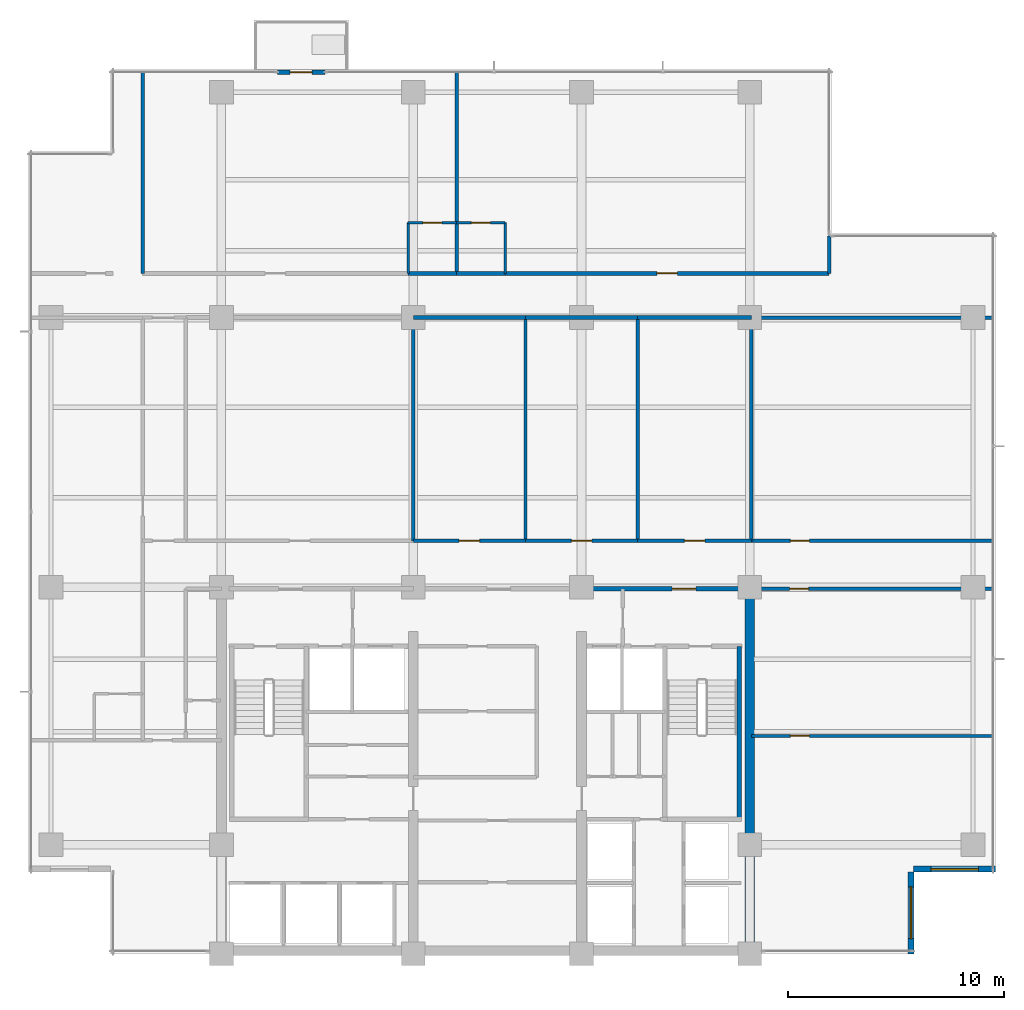
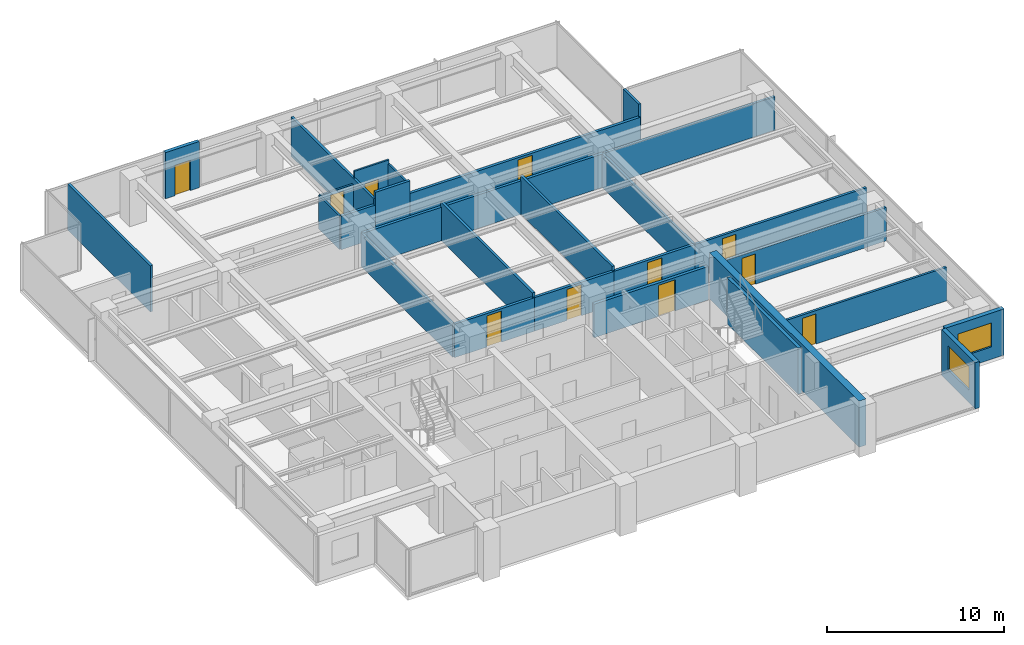
# One storey, part 9 of 14: 30 walls, 11 doors, 2 windows, 13 openings.
"""IFC4 building model written with IfcOpenShell, lengths in metres."""

from ifc_helpers import new_model, si_unit, direction, frame, frame_2d, origin, place, context, subcontext, project, spatial, rectangle, extrude, material, layer, layer_set, type_object, element, fill, save


model = new_model("IFC4")

# Units and contexts
model_context = context("Model", 3, precision=1e-05, world=origin(), true_north=direction((0.0, 1.0)))
body_context = subcontext(model_context, "Body", "Model", "MODEL_VIEW")
ifc_project = project(units=[si_unit("LENGTHUNIT", "METRE"), si_unit("AREAUNIT", "SQUARE_METRE"), si_unit("VOLUMEUNIT", "CUBIC_METRE"), si_unit("PLANEANGLEUNIT", "RADIAN"), si_unit("MASSUNIT", "GRAM", prefix="KILO")], contexts=[model_context])

# Site, building, storey
site_placement = place(None, origin())
site = spatial("IfcSite", under=ifc_project, at=site_placement, CompositionType="ELEMENT")
building_placement = place(site_placement, origin())
building = spatial("IfcBuilding", under=site, at=building_placement, Name="Qalmaran Belvedere Hotel", CompositionType="ELEMENT")
storey_placement = place(building_placement, frame((0.0, 0.0, 180.60009765625)))
storey = spatial("IfcBuildingStorey", under=building, at=storey_placement, Name="L46", CompositionType="ELEMENT", Elevation=180.60009765625)

# Wall, opening, door
ifc_material_1 = material(Name="Anodised Bronze Cladding")
ifc_layer_1 = layer(ifc_material_1, 0.22509765625, Name="Anodised Bronze Cladding")
ifc_layer_set_1 = layer_set([ifc_layer_1], Name="Anodised Bronze Cladding")
wall_type_1 = type_object("IfcWallType", Name="WL-BAL-PORT-225", PredefinedType="SOLIDWALL", material=ifc_layer_set_1)
wall_1_placement = place(storey_placement, frame((22.89990234375, 44.3798828125, 0.0), z_axis=(0.0, 0.0, 1.0), x_axis=(1.0, 0.0, 0.0)))
wall_1 = element("IfcWall", 1, at=wall_1_placement, inside=storey, type_object=wall_type_1, Name="L46 Tree Balcony Door Portal", PredefinedType="SOLIDWALL", context=body_context, shape_type="SweptSolid", body=[
    extrude(rectangle(XDim=2.2001953125, YDim=0.22509765625, at=frame_2d((1.10009765625, 0.0))), origin(), (0.0, 0.0, 1.0), 3.179931640625),
])
opening_1_placement = place(wall_1_placement, frame((0.590087890625, 0.0, 0.0)))
opening_1 = element("IfcOpeningElement", 2, at=opening_1_placement, cuts=wall_1, Name="Opening BL-102", PredefinedType="OPENING", context=body_context, shape_type="SweptSolid", body=[
    extrude(rectangle(XDim=1.02001953125, YDim=2.10009765625, at=frame_2d((0.510009765625, 1.050048828125))), frame((0.0, 0.12255859375, 0.0), z_axis=(0.0, -1.0, 0.0), x_axis=(1.0, 0.0, 0.0)), (0.0, 0.0, 1.0), 0.2451171875),
])
ifc_material_2 = material(Name="Anodised Bronze Aluminium", Category="aluminium")
door_type_1 = type_object("IfcDoorType", Name="DR-BAL-1020X2100", OperationType="NOTDEFINED", PredefinedType="DOOR", material=ifc_material_2)
door_1_placement = place(opening_1_placement, origin())
door_1 = element("IfcDoor", 3, at=door_1_placement, inside=storey, type_object=door_type_1, Name="L46 Planted Tree Balcony Door", OperationType="SINGLE_SWING_LEFT", OverallHeight=2.10009765625, OverallWidth=1.02001953125, PredefinedType="DOOR", context=body_context, shape_type="SweptSolid", body=[
    extrude(rectangle(XDim=1.02001953125, YDim=2.10009765625, at=frame_2d((0.510009765625, 1.050048828125))), frame((0.0, 0.02490234375, 0.0), z_axis=(0.0, -1.0, 0.0), x_axis=(1.0, 0.0, 0.0)), (0.0, 0.0, 1.0), 0.050048828125),
])
fill(opening_1, door_1)

# Wall
ifc_material_3 = material(Name="Concrete C50/60", Category="concrete")
ifc_layer_2 = layer(ifc_material_3, 0.449951171875, Name="Concrete C50/60")
ifc_layer_set_2 = layer_set([ifc_layer_2], Name="Concrete C50/60")
wall_type_2 = type_object("IfcWallType", Name="WL-CORE-450-C50", PredefinedType="SHEAR", material=ifc_layer_set_2)
wall_2_placement = place(storey_placement, frame((44.800048828125, 3.5, 0.0), z_axis=(0.0, 0.0, 1.0), x_axis=(0.0, 1.0, 0.0)))
element("IfcWall", 4, at=wall_2_placement, inside=storey, type_object=wall_type_2, Name="L46 East Core Shear Wall", PredefinedType="SHEAR", context=body_context, shape_type="SweptSolid", body=[
    extrude(rectangle(XDim=16.89990234375, YDim=0.449951171875, at=frame_2d((8.449951171875, 0.0))), origin(), (0.0, 0.0, 1.0), 3.179931640625),
])

# Wall, opening, window
ifc_layer_3 = layer(ifc_material_1, 0.280029296875, Name="Anodised Bronze Cladding")
ifc_layer_set_3 = layer_set([ifc_layer_3], Name="Anodised Bronze Cladding")
wall_type_3 = type_object("IfcWallType", Name="WL-EXT-BRNZ-280", PredefinedType="SOLIDWALL", material=ifc_layer_set_3)
wall_3_placement = place(storey_placement, frame((52.280029296875, 3.5, 0.0), z_axis=(0.0, 0.0, 1.0), x_axis=(0.0, 1.0, 0.0)))
wall_3 = element("IfcWall", 5, at=wall_3_placement, inside=storey, type_object=wall_type_3, Name="L46 Corner Notch Wall 1", PredefinedType="SOLIDWALL", context=body_context, shape_type="SweptSolid", body=[
    extrude(rectangle(XDim=3.800048828125, YDim=0.280029296875, at=frame_2d((1.89990234375, 0.0))), origin(), (0.0, 0.0, 1.0), 3.179931640625),
])
opening_2_placement = place(wall_3_placement, frame((0.699951171875, 0.0, 0.85009765625)))
opening_2 = element("IfcOpeningElement", 6, at=opening_2_placement, cuts=wall_3, Name="Opening W-N24", PredefinedType="OPENING", context=body_context, shape_type="SweptSolid", body=[
    extrude(rectangle(XDim=2.39990234375, YDim=1.64990234375, at=frame_2d((1.199951171875, 0.824951171875))), frame((0.0, 0.14990234375, 0.0), z_axis=(0.0, -1.0, 0.0), x_axis=(1.0, 0.0, 0.0)), (0.0, 0.0, 1.0), 0.300048828125),
])
ifc_material_4 = material(Name="Solar-Control Double Glazing", Category="glass")
window_type_1 = type_object("IfcWindowType", Name="WN-NTC-2400X1650", PartitioningType="SINGLE_PANEL", PredefinedType="WINDOW", material=ifc_material_4)
window_1_placement = place(opening_2_placement, origin())
window_1 = element("IfcWindow", 7, at=window_1_placement, inside=storey, type_object=window_type_1, Name="L46 Corner Notch Window 1", OverallHeight=1.64990234375, OverallWidth=2.39990234375, PartitioningType="SINGLE_PANEL", PredefinedType="WINDOW", context=body_context, shape_type="SweptSolid", body=[
    extrude(rectangle(XDim=2.39990234375, YDim=1.64990234375, at=frame_2d((1.199951171875, 0.824951171875))), frame((0.0, 0.030029296875, 0.0), z_axis=(0.0, -1.0, 0.0), x_axis=(1.0, 0.0, 0.0)), (0.0, 0.0, 1.0), 0.06005859375),
])
fill(opening_2, window_1)

wall_4_placement = place(storey_placement, frame((52.39990234375, 7.419921875, 0.0), z_axis=(0.0, 0.0, 1.0), x_axis=(1.0, 0.0, 0.0)))
wall_4 = element("IfcWall", 8, at=wall_4_placement, inside=storey, type_object=wall_type_3, Name="L46 Corner Notch Wall 2", PredefinedType="SOLIDWALL", context=body_context, shape_type="SweptSolid", body=[
    extrude(rectangle(XDim=3.800048828125, YDim=0.280029296875, at=frame_2d((1.89990234375, 0.0))), origin(), (0.0, 0.0, 1.0), 3.179931640625),
])
opening_3_placement = place(wall_4_placement, frame((0.800048828125, 0.0, 0.85009765625)))
opening_3 = element("IfcOpeningElement", 9, at=opening_3_placement, cuts=wall_4, Name="Opening W-N22", PredefinedType="OPENING", context=body_context, shape_type="SweptSolid", body=[
    extrude(rectangle(XDim=2.199951171875, YDim=1.64990234375, at=frame_2d((1.10009765625, 0.824951171875))), frame((0.0, 0.14990234375, 0.0), z_axis=(0.0, -1.0, 0.0), x_axis=(1.0, 0.0, 0.0)), (0.0, 0.0, 1.0), 0.300048828125),
])
window_type_2 = type_object("IfcWindowType", Name="WN-NTC-2200X1650", PartitioningType="SINGLE_PANEL", PredefinedType="WINDOW", material=ifc_material_4)
window_2_placement = place(opening_3_placement, origin())
window_2 = element("IfcWindow", 10, at=window_2_placement, inside=storey, type_object=window_type_2, Name="L46 Corner Notch Window 2", OverallHeight=1.64990234375, OverallWidth=2.199951171875, PartitioningType="SINGLE_PANEL", PredefinedType="WINDOW", context=body_context, shape_type="SweptSolid", body=[
    extrude(rectangle(XDim=2.199951171875, YDim=1.64990234375, at=frame_2d((1.10009765625, 0.824951171875))), frame((0.0, 0.030029296875, 0.0), z_axis=(0.0, -1.0, 0.0), x_axis=(1.0, 0.0, 0.0)), (0.0, 0.0, 1.0), 0.06005859375),
])
fill(opening_3, window_2)

# Wall, opening, door
ifc_material_5 = material(Name="Moisture-Resistant Gypsum")
ifc_layer_4 = layer(ifc_material_5, 0.1201171875, Name="Moisture-Resistant Gypsum")
ifc_layer_set_4 = layer_set([ifc_layer_4], Name="Moisture-Resistant Gypsum")
wall_type_4 = type_object("IfcWallType", Name="WL-INT-120-BATH", PredefinedType="PARTITIONING", material=ifc_layer_set_4)
wall_5_placement = place(storey_placement, frame((28.960693359375, 37.39990234375, 0.0), z_axis=(0.0, 0.0, 1.0), x_axis=(1.0, 0.0, 0.0)))
wall_5 = element("IfcWall", 11, at=wall_5_placement, inside=storey, type_object=wall_type_4, Name="L46 Partition WL-L46-NBN00", PredefinedType="PARTITIONING", context=body_context, shape_type="SweptSolid", body=[
    extrude(rectangle(XDim=2.25, YDim=0.1201171875, at=frame_2d((1.125, 0.0))), origin(), (0.0, 0.0, 1.0), 2.309814453125),
])
opening_4_placement = place(wall_5_placement, frame((1.56494140625, 0.0, 0.0), z_axis=(0.0, 0.0, 1.0), x_axis=(-1.0, 0.0, 0.0)))
opening_4 = element("IfcOpeningElement", 12, at=opening_4_placement, cuts=wall_5, Name="Opening D-BATH", PredefinedType="OPENING", context=body_context, shape_type="SweptSolid", body=[
    extrude(rectangle(XDim=0.8798828125, YDim=2.080078125, at=frame_2d((0.43994140625, 1.0400390625))), frame((0.0, 0.070068359375, 0.0), z_axis=(0.0, -1.0, 0.0), x_axis=(1.0, 0.0, 0.0)), (0.0, 0.0, 1.0), 0.14013671875),
])
ifc_material_6 = material(Name="Engineered Oak Veneer")
door_type_2 = type_object("IfcDoorType", Name="DR-INT-BATH-880X2080", OperationType="NOTDEFINED", PredefinedType="DOOR", material=ifc_material_6)
door_2_placement = place(opening_4_placement, origin())
door_2 = element("IfcDoor", 13, at=door_2_placement, inside=storey, type_object=door_type_2, Name="L46 Ensuite Bathroom Door N01", OperationType="SINGLE_SWING_RIGHT", OverallHeight=2.080078125, OverallWidth=0.8798828125, PredefinedType="DOOR", context=body_context, shape_type="SweptSolid", body=[
    extrude(rectangle(XDim=0.8798828125, YDim=2.080078125, at=frame_2d((0.43994140625, 1.0400390625))), frame((0.0, 0.02490234375, 0.0), z_axis=(0.0, -1.0, 0.0), x_axis=(1.0, 0.0, 0.0)), (0.0, 0.0, 1.0), 0.050048828125),
])
fill(opening_4, door_2)

# Wall
wall_6_placement = place(storey_placement, frame((28.960693359375, 35.050048828125, 0.0), z_axis=(0.0, 0.0, 1.0), x_axis=(0.0, 1.0, 0.0)))
element("IfcWall", 14, at=wall_6_placement, inside=storey, type_object=wall_type_4, Name="L46 Partition WL-L46-NBS00", PredefinedType="PARTITIONING", context=body_context, shape_type="SweptSolid", body=[
    extrude(rectangle(XDim=2.349853515625, YDim=0.1201171875, at=frame_2d((1.1748046875, 0.0))), origin(), (0.0, 0.0, 1.0), 2.309814453125),
])

# Wall, opening, door
wall_7_placement = place(storey_placement, frame((31.210693359375, 37.39990234375, 0.0), z_axis=(0.0, 0.0, 1.0), x_axis=(1.0, 0.0, 0.0)))
wall_7 = element("IfcWall", 15, at=wall_7_placement, inside=storey, type_object=wall_type_4, Name="L46 Partition WL-L46-NBN01", PredefinedType="PARTITIONING", context=body_context, shape_type="SweptSolid", body=[
    extrude(rectangle(XDim=2.25, YDim=0.1201171875, at=frame_2d((1.125, 0.0))), origin(), (0.0, 0.0, 1.0), 3.179931640625),
])
opening_5_placement = place(wall_7_placement, frame((1.56494140625, 0.0, 0.0), z_axis=(0.0, 0.0, 1.0), x_axis=(-1.0, 0.0, 0.0)))
opening_5 = element("IfcOpeningElement", 16, at=opening_5_placement, cuts=wall_7, Name="Opening D-BATH", PredefinedType="OPENING", context=body_context, shape_type="SweptSolid", body=[
    extrude(rectangle(XDim=0.8798828125, YDim=2.080078125, at=frame_2d((0.43994140625, 1.0400390625))), frame((0.0, 0.070068359375, 0.0), z_axis=(0.0, -1.0, 0.0), x_axis=(1.0, 0.0, 0.0)), (0.0, 0.0, 1.0), 0.14013671875),
])
door_3_placement = place(opening_5_placement, origin())
door_3 = element("IfcDoor", 17, at=door_3_placement, inside=storey, type_object=door_type_2, Name="L46 Ensuite Bathroom Door N02", OperationType="SINGLE_SWING_RIGHT", OverallHeight=2.080078125, OverallWidth=0.8798828125, PredefinedType="DOOR", context=body_context, shape_type="SweptSolid", body=[
    extrude(rectangle(XDim=0.8798828125, YDim=2.080078125, at=frame_2d((0.43994140625, 1.0400390625))), frame((0.0, 0.02490234375, 0.0), z_axis=(0.0, -1.0, 0.0), x_axis=(1.0, 0.0, 0.0)), (0.0, 0.0, 1.0), 0.050048828125),
])
fill(opening_5, door_3)

# Wall
wall_8_placement = place(storey_placement, frame((33.460693359375, 35.050048828125, 0.0), z_axis=(0.0, 0.0, 1.0), x_axis=(0.0, 1.0, 0.0)))
element("IfcWall", 18, at=wall_8_placement, inside=storey, type_object=wall_type_4, Name="L46 Partition WL-L46-NBS01", PredefinedType="PARTITIONING", context=body_context, shape_type="SweptSolid", body=[
    extrude(rectangle(XDim=2.349853515625, YDim=0.1201171875, at=frame_2d((1.1748046875, 0.0))), origin(), (0.0, 0.0, 1.0), 2.91796875),
])

# Wall, opening, door
ifc_material_7 = material(Name="Gypsum Stud Partition")
ifc_layer_5 = layer(ifc_material_7, 0.14990234375, Name="Gypsum Stud Partition")
ifc_layer_set_5 = layer_set([ifc_layer_5], Name="Gypsum Stud Partition")
wall_type_5 = type_object("IfcWallType", Name="WL-INT-150-EI60", PredefinedType="PARTITIONING", material=ifc_layer_set_5)
wall_9_placement = place(storey_placement, frame((44.8798828125, 13.60009765625, 0.0), z_axis=(0.0, 0.0, 1.0), x_axis=(1.0, 0.0, 0.0)))
wall_9 = element("IfcWall", 19, at=wall_9_placement, inside=storey, type_object=wall_type_5, Name="L46 Partition WL-L46-ECEH0", PredefinedType="PARTITIONING", context=body_context, shape_type="SweptSolid", body=[
    extrude(rectangle(XDim=11.2001953125, YDim=0.14990234375, at=frame_2d((5.60009765625, 0.0))), origin(), (0.0, 0.0, 1.0), 2.309814453125),
])
opening_6_placement = place(wall_9_placement, frame((2.679931640625, 0.0, 0.0), z_axis=(0.0, 0.0, 1.0), x_axis=(-1.0, 0.0, 0.0)))
opening_6 = element("IfcOpeningElement", 20, at=opening_6_placement, cuts=wall_9, Name="Opening FD60B", PredefinedType="OPENING", context=body_context, shape_type="SweptSolid", body=[
    extrude(rectangle(XDim=0.8798828125, YDim=2.080078125, at=frame_2d((0.43994140625, 1.0400390625))), frame((0.0, 0.0849609375, 0.0), z_axis=(0.0, -1.0, 0.0), x_axis=(1.0, 0.0, 0.0)), (0.0, 0.0, 1.0), 0.169921875),
])
ifc_material_8 = material(Name="Steel S355JR", Category="steel")
door_type_3 = type_object("IfcDoorType", Name="DR-FD60B-880X2080", OperationType="NOTDEFINED", PredefinedType="DOOR", material=ifc_material_8)
door_4_placement = place(opening_6_placement, origin())
door_4 = element("IfcDoor", 21, at=door_4_placement, inside=storey, type_object=door_type_3, Name="L46 East Study Inner Door", OperationType="SINGLE_SWING_LEFT", OverallHeight=2.080078125, OverallWidth=0.8798828125, PredefinedType="DOOR", context=body_context, shape_type="SweptSolid", body=[
    extrude(rectangle(XDim=0.8798828125, YDim=2.080078125, at=frame_2d((0.43994140625, 1.0400390625))), frame((0.0, 0.02490234375, 0.0), z_axis=(0.0, -1.0, 0.0), x_axis=(1.0, 0.0, 0.0)), (0.0, 0.0, 1.0), 0.050048828125),
])
fill(opening_6, door_4)

ifc_layer_6 = layer(ifc_material_7, 0.159912109375, Name="Gypsum Stud Partition")
ifc_layer_set_6 = layer_set([ifc_layer_6], Name="Gypsum Stud Partition")
wall_type_6 = type_object("IfcWallType", Name="WL-INT-160-EI60", PredefinedType="PARTITIONING", material=ifc_layer_set_6)
wall_10_placement = place(storey_placement, frame((44.800048828125, 20.419921875, 0.0), z_axis=(0.0, 0.0, 1.0), x_axis=(1.0, 0.0, 0.0)))
wall_10 = element("IfcWall", 22, at=wall_10_placement, inside=storey, type_object=wall_type_6, Name="L46 Partition WL-L46-ECE1S", PredefinedType="PARTITIONING", context=body_context, shape_type="SweptSolid", body=[
    extrude(rectangle(XDim=11.280029296875, YDim=0.159912109375, at=frame_2d((5.64013671875, 0.0))), origin(), (0.0, 0.0, 1.0), 2.309814453125),
])
opening_7_placement = place(wall_10_placement, frame((2.72998046875, 0.0, 0.0), z_axis=(0.0, 0.0, 1.0), x_axis=(-1.0, 0.0, 0.0)))
opening_7 = element("IfcOpeningElement", 23, at=opening_7_placement, cuts=wall_10, Name="Opening FD60B", PredefinedType="OPENING", context=body_context, shape_type="SweptSolid", body=[
    extrude(rectangle(XDim=0.8798828125, YDim=2.080078125, at=frame_2d((0.43994140625, 1.0400390625))), frame((0.0, 0.08984375, 0.0), z_axis=(0.0, -1.0, 0.0), x_axis=(1.0, 0.0, 0.0)), (0.0, 0.0, 1.0), 0.179931640625),
])
door_5_placement = place(opening_7_placement, origin())
door_5 = element("IfcDoor", 24, at=door_5_placement, inside=storey, type_object=door_type_3, Name="L46 East Library Door", OperationType="SINGLE_SWING_RIGHT", OverallHeight=2.080078125, OverallWidth=0.8798828125, PredefinedType="DOOR", context=body_context, shape_type="SweptSolid", body=[
    extrude(rectangle(XDim=0.8798828125, YDim=2.080078125, at=frame_2d((0.43994140625, 1.0400390625))), frame((0.0, 0.02490234375, 0.0), z_axis=(0.0, -1.0, 0.0), x_axis=(1.0, 0.0, 0.0)), (0.0, 0.0, 1.0), 0.050048828125),
])
fill(opening_7, door_5)

wall_11_placement = place(storey_placement, frame((44.8798828125, 22.64990234375, 0.0), z_axis=(0.0, 0.0, 1.0), x_axis=(1.0, 0.0, 0.0)))
wall_11 = element("IfcWall", 25, at=wall_11_placement, inside=storey, type_object=wall_type_6, Name="L46 Partition WL-L46-ECE2N", PredefinedType="PARTITIONING", context=body_context, shape_type="SweptSolid", body=[
    extrude(rectangle(XDim=11.2001953125, YDim=0.159912109375, at=frame_2d((5.60009765625, 0.0))), origin(), (0.0, 0.0, 1.0), 2.309814453125),
])
opening_8_placement = place(wall_11_placement, frame((1.800048828125, 0.0, 0.0)))
opening_8 = element("IfcOpeningElement", 26, at=opening_8_placement, cuts=wall_11, Name="Opening FD60B", PredefinedType="OPENING", context=body_context, shape_type="SweptSolid", body=[
    extrude(rectangle(XDim=0.8798828125, YDim=2.080078125, at=frame_2d((0.43994140625, 1.0400390625))), frame((0.0, 0.08984375, 0.0), z_axis=(0.0, -1.0, 0.0), x_axis=(1.0, 0.0, 0.0)), (0.0, 0.0, 1.0), 0.179931640625),
])
door_6_placement = place(opening_8_placement, origin())
door_6 = element("IfcDoor", 27, at=door_6_placement, inside=storey, type_object=door_type_3, Name="L46 East Fitness Door", OperationType="SINGLE_SWING_LEFT", OverallHeight=2.080078125, OverallWidth=0.8798828125, PredefinedType="DOOR", context=body_context, shape_type="SweptSolid", body=[
    extrude(rectangle(XDim=0.8798828125, YDim=2.080078125, at=frame_2d((0.43994140625, 1.0400390625))), frame((0.0, 0.02490234375, 0.0), z_axis=(0.0, -1.0, 0.0), x_axis=(1.0, 0.0, 0.0)), (0.0, 0.0, 1.0), 0.050048828125),
])
fill(opening_8, door_6)

# Walls
wall_12_placement = place(storey_placement, frame((44.8798828125, 33.0, 0.0), z_axis=(0.0, 0.0, 1.0), x_axis=(1.0, 0.0, 0.0)))
element("IfcWall", 28, at=wall_12_placement, inside=storey, type_object=wall_type_6, Name="L46 Partition WL-L46-ECEN", PredefinedType="PARTITIONING", context=body_context, shape_type="SweptSolid", body=[
    extrude(rectangle(XDim=11.2001953125, YDim=0.159912109375, at=frame_2d((5.60009765625, 0.0))), origin(), (0.0, 0.0, 1.0), 2.309814453125),
])
wall_13_placement = place(storey_placement, frame((29.199951171875, 22.64990234375, 0.0), z_axis=(0.0, 0.0, 1.0), x_axis=(0.0, 1.0, 0.0)))
element("IfcWall", 29, at=wall_13_placement, inside=storey, type_object=wall_type_6, Name="L46 Partition WL-L46-MIDVR1", PredefinedType="PARTITIONING", context=body_context, shape_type="SweptSolid", body=[
    extrude(rectangle(XDim=10.35009765625, YDim=0.159912109375, at=frame_2d((5.175048828125, 0.0))), origin(), (0.0, 0.0, 1.0), 2.309814453125),
])
for number, where, z_axis, x_axis, name in (
    (30, (34.39990234375, 22.64990234375, 0.0), (0.0, 0.0, 1.0), (0.0, 1.0, 0.0), "L46 Partition WL-L46-MIDVR2"),
    (31, (39.60009765625, 22.64990234375, 0.0), (0.0, 0.0, 1.0), (0.0, 1.0, 0.0), "L46 Partition WL-L46-MIDVR3"),
):
    element("IfcWall", number, at=place(storey_placement, frame(where, z_axis=z_axis, x_axis=x_axis)), inside=storey, type_object=wall_type_6, Name=name, PredefinedType="PARTITIONING", context=body_context, shape_type="SweptSolid", body=[
        extrude(rectangle(XDim=10.35009765625, YDim=0.159912109375, at=frame_2d((5.175048828125, 0.0))), origin(), (0.0, 0.0, 1.0), 2.621826171875),
    ])
wall_14_placement = place(storey_placement, frame((44.8798828125, 22.64990234375, 0.0), z_axis=(0.0, 0.0, 1.0), x_axis=(0.0, 1.0, 0.0)))
element("IfcWall", 32, at=wall_14_placement, inside=storey, type_object=wall_type_6, Name="L46 Partition WL-L46-MIDVR4", PredefinedType="PARTITIONING", context=body_context, shape_type="SweptSolid", body=[
    extrude(rectangle(XDim=10.35009765625, YDim=0.159912109375, at=frame_2d((5.175048828125, 0.0))), origin(), (0.0, 0.0, 1.0), 2.309814453125),
])
wall_15_placement = place(storey_placement, frame((16.64990234375, 35.050048828125, 0.0), z_axis=(0.0, 0.0, 1.0), x_axis=(0.0, 1.0, 0.0)))
element("IfcWall", 33, at=wall_15_placement, inside=storey, type_object=wall_type_6, Name="L46 Partition WL-L46-NUL", PredefinedType="PARTITIONING", context=body_context, shape_type="SweptSolid", body=[
    extrude(rectangle(XDim=9.329833984375, YDim=0.159912109375, at=frame_2d((4.6650390625, 0.0))), origin(), (0.0, 0.0, 1.0), 3.179931640625),
])
wall_16_placement = place(storey_placement, frame((31.210693359375, 35.050048828125, 0.0), z_axis=(0.0, 0.0, 1.0), x_axis=(0.0, 1.0, 0.0)))
element("IfcWall", 34, at=wall_16_placement, inside=storey, type_object=wall_type_6, Name="L46 Partition WL-L46-NUR00", PredefinedType="PARTITIONING", context=body_context, shape_type="SweptSolid", body=[
    extrude(rectangle(XDim=9.329833984375, YDim=0.159912109375, at=frame_2d((4.6650390625, 0.0))), origin(), (0.0, 0.0, 1.0), 2.701904296875),
])
wall_17_placement = place(storey_placement, frame((48.47998046875, 35.050048828125, 0.0), z_axis=(0.0, 0.0, 1.0), x_axis=(0.0, 1.0, 0.0)))
element("IfcWall", 35, at=wall_17_placement, inside=storey, type_object=wall_type_6, Name="L46 Partition WL-L46-NUR01", PredefinedType="PARTITIONING", context=body_context, shape_type="SweptSolid", body=[
    extrude(rectangle(XDim=1.72998046875, YDim=0.159912109375, at=frame_2d((0.864990234375, 0.0))), origin(), (0.0, 0.0, 1.0), 3.179931640625),
])

# Wall, opening, door
ifc_layer_7 = layer(ifc_material_7, 0.179931640625, Name="Gypsum Stud Partition")
ifc_layer_set_7 = layer_set([ifc_layer_7], Name="Gypsum Stud Partition")
wall_type_7 = type_object("IfcWallType", Name="WL-INT-180-EI60", PredefinedType="PARTITIONING", material=ifc_layer_set_7)
wall_18_placement = place(storey_placement, frame((29.199951171875, 22.64990234375, 0.0), z_axis=(0.0, 0.0, 1.0), x_axis=(1.0, 0.0, 0.0)))
wall_18 = element("IfcWall", 36, at=wall_18_placement, inside=storey, type_object=wall_type_7, Name="L46 Partition WL-L46-MIDD2", PredefinedType="PARTITIONING", context=body_context, shape_type="SweptSolid", body=[
    extrude(rectangle(XDim=5.199951171875, YDim=0.179931640625, at=frame_2d((2.60009765625, 0.0))), origin(), (0.0, 0.0, 1.0), 2.309814453125),
])
opening_9_placement = place(wall_18_placement, frame((2.125, 0.0, 0.0)))
opening_9 = element("IfcOpeningElement", 37, at=opening_9_placement, cuts=wall_18, Name="Opening FD60", PredefinedType="OPENING", context=body_context, shape_type="SweptSolid", body=[
    extrude(rectangle(XDim=0.949951171875, YDim=2.14990234375, at=frame_2d((0.47509765625, 1.074951171875))), frame((0.0, 0.10009765625, 0.0), z_axis=(0.0, -1.0, 0.0), x_axis=(1.0, 0.0, 0.0)), (0.0, 0.0, 1.0), 0.199951171875),
])
door_type_4 = type_object("IfcDoorType", Name="DR-FD60-950X2150", OperationType="NOTDEFINED", PredefinedType="DOOR", material=ifc_material_6)
door_7_placement = place(opening_9_placement, origin())
door_7 = element("IfcDoor", 38, at=door_7_placement, inside=storey, type_object=door_type_4, Name="L46 Wellness Spa Door", OperationType="SINGLE_SWING_LEFT", OverallHeight=2.14990234375, OverallWidth=0.949951171875, PredefinedType="DOOR", context=body_context, shape_type="SweptSolid", body=[
    extrude(rectangle(XDim=0.949951171875, YDim=2.14990234375, at=frame_2d((0.47509765625, 1.074951171875))), frame((0.0, 0.02490234375, 0.0), z_axis=(0.0, -1.0, 0.0), x_axis=(1.0, 0.0, 0.0)), (0.0, 0.0, 1.0), 0.050048828125),
])
fill(opening_9, door_7)

# Wall
wall_19_placement = place(storey_placement, frame((29.199951171875, 33.0, 0.0), z_axis=(0.0, 0.0, 1.0), x_axis=(1.0, 0.0, 0.0)))
element("IfcWall", 39, at=wall_19_placement, inside=storey, type_object=wall_type_7, Name="L46 Partition WL-L46-MIDO2", PredefinedType="PARTITIONING", context=body_context, shape_type="SweptSolid", body=[
    extrude(rectangle(XDim=5.199951171875, YDim=0.179931640625, at=frame_2d((2.60009765625, 0.0))), origin(), (0.0, 0.0, 1.0), 2.309814453125),
])

# Wall, opening, door
wall_20_placement = place(storey_placement, frame((34.39990234375, 22.64990234375, 0.0), z_axis=(0.0, 0.0, 1.0), x_axis=(1.0, 0.0, 0.0)))
wall_20 = element("IfcWall", 40, at=wall_20_placement, inside=storey, type_object=wall_type_7, Name="L46 Partition WL-L46-MIDD3", PredefinedType="PARTITIONING", context=body_context, shape_type="SweptSolid", body=[
    extrude(rectangle(XDim=5.2001953125, YDim=0.179931640625, at=frame_2d((2.60009765625, 0.0))), origin(), (0.0, 0.0, 1.0), 2.309814453125),
])
opening_10_placement = place(wall_20_placement, frame((2.125, 0.0, 0.0)))
opening_10 = element("IfcOpeningElement", 41, at=opening_10_placement, cuts=wall_20, Name="Opening FD60", PredefinedType="OPENING", context=body_context, shape_type="SweptSolid", body=[
    extrude(rectangle(XDim=0.949951171875, YDim=2.14990234375, at=frame_2d((0.47509765625, 1.074951171875))), frame((0.0, 0.10009765625, 0.0), z_axis=(0.0, -1.0, 0.0), x_axis=(1.0, 0.0, 0.0)), (0.0, 0.0, 1.0), 0.199951171875),
])
door_8_placement = place(opening_10_placement, origin())
door_8 = element("IfcDoor", 42, at=door_8_placement, inside=storey, type_object=door_type_4, Name="L46 Fitness Studio Door", OperationType="SINGLE_SWING_RIGHT", OverallHeight=2.14990234375, OverallWidth=0.949951171875, PredefinedType="DOOR", context=body_context, shape_type="SweptSolid", body=[
    extrude(rectangle(XDim=0.949951171875, YDim=2.14990234375, at=frame_2d((0.47509765625, 1.074951171875))), frame((0.0, 0.02490234375, 0.0), z_axis=(0.0, -1.0, 0.0), x_axis=(1.0, 0.0, 0.0)), (0.0, 0.0, 1.0), 0.050048828125),
])
fill(opening_10, door_8)

# Wall
wall_21_placement = place(storey_placement, frame((34.39990234375, 33.0, 0.0), z_axis=(0.0, 0.0, 1.0), x_axis=(1.0, 0.0, 0.0)))
element("IfcWall", 43, at=wall_21_placement, inside=storey, type_object=wall_type_7, Name="L46 Partition WL-L46-MIDO3", PredefinedType="PARTITIONING", context=body_context, shape_type="SweptSolid", body=[
    extrude(rectangle(XDim=5.2001953125, YDim=0.179931640625, at=frame_2d((2.60009765625, 0.0))), origin(), (0.0, 0.0, 1.0), 2.309814453125),
])

# Wall, opening, door
wall_22_placement = place(storey_placement, frame((39.60009765625, 22.64990234375, 0.0), z_axis=(0.0, 0.0, 1.0), x_axis=(1.0, 0.0, 0.0)))
wall_22 = element("IfcWall", 44, at=wall_22_placement, inside=storey, type_object=wall_type_7, Name="L46 Partition WL-L46-MIDD4", PredefinedType="PARTITIONING", context=body_context, shape_type="SweptSolid", body=[
    extrude(rectangle(XDim=5.27978515625, YDim=0.179931640625, at=frame_2d((2.639892578125, 0.0))), origin(), (0.0, 0.0, 1.0), 2.309814453125),
])
opening_11_placement = place(wall_22_placement, frame((2.1650390625, 0.0, 0.0)))
opening_11 = element("IfcOpeningElement", 45, at=opening_11_placement, cuts=wall_22, Name="Opening FD60", PredefinedType="OPENING", context=body_context, shape_type="SweptSolid", body=[
    extrude(rectangle(XDim=0.949951171875, YDim=2.14990234375, at=frame_2d((0.47509765625, 1.074951171875))), frame((0.0, 0.10009765625, 0.0), z_axis=(0.0, -1.0, 0.0), x_axis=(1.0, 0.0, 0.0)), (0.0, 0.0, 1.0), 0.199951171875),
])
door_9_placement = place(opening_11_placement, origin())
door_9 = element("IfcDoor", 46, at=door_9_placement, inside=storey, type_object=door_type_4, Name="L46 Meditation Spa Door", OperationType="SINGLE_SWING_LEFT", OverallHeight=2.14990234375, OverallWidth=0.949951171875, PredefinedType="DOOR", context=body_context, shape_type="SweptSolid", body=[
    extrude(rectangle(XDim=0.949951171875, YDim=2.14990234375, at=frame_2d((0.47509765625, 1.074951171875))), frame((0.0, 0.02490234375, 0.0), z_axis=(0.0, -1.0, 0.0), x_axis=(1.0, 0.0, 0.0)), (0.0, 0.0, 1.0), 0.050048828125),
])
fill(opening_11, door_9)

# Walls
wall_23_placement = place(storey_placement, frame((39.60009765625, 33.0, 0.0), z_axis=(0.0, 0.0, 1.0), x_axis=(1.0, 0.0, 0.0)))
element("IfcWall", 47, at=wall_23_placement, inside=storey, type_object=wall_type_7, Name="L46 Partition WL-L46-MIDO4", PredefinedType="PARTITIONING", context=body_context, shape_type="SweptSolid", body=[
    extrude(rectangle(XDim=5.27978515625, YDim=0.179931640625, at=frame_2d((2.639892578125, 0.0))), origin(), (0.0, 0.0, 1.0), 2.309814453125),
])
wall_24_placement = place(storey_placement, frame((28.960693359375, 35.050048828125, 0.0), z_axis=(0.0, 0.0, 1.0), x_axis=(1.0, 0.0, 0.0)))
element("IfcWall", 48, at=wall_24_placement, inside=storey, type_object=wall_type_7, Name="L46 Partition WL-L46-NBC00", PredefinedType="PARTITIONING", context=body_context, shape_type="SweptSolid", body=[
    extrude(rectangle(XDim=2.25, YDim=0.179931640625, at=frame_2d((1.125, 0.0))), origin(), (0.0, 0.0, 1.0), 2.309814453125),
])
wall_25_placement = place(storey_placement, frame((31.210693359375, 35.050048828125, 0.0), z_axis=(0.0, 0.0, 1.0), x_axis=(1.0, 0.0, 0.0)))
element("IfcWall", 49, at=wall_25_placement, inside=storey, type_object=wall_type_7, Name="L46 Partition WL-L46-NBC01", PredefinedType="PARTITIONING", context=body_context, shape_type="SweptSolid", body=[
    extrude(rectangle(XDim=2.25, YDim=0.179931640625, at=frame_2d((1.125, 0.0))), origin(), (0.0, 0.0, 1.0), 3.179931640625),
])

# Wall, opening, door
wall_26_placement = place(storey_placement, frame((33.460693359375, 35.050048828125, 0.0), z_axis=(0.0, 0.0, 1.0), x_axis=(1.0, 0.0, 0.0)))
wall_26 = element("IfcWall", 50, at=wall_26_placement, inside=storey, type_object=wall_type_7, Name="L46 Partition WL-L46-NEC01", PredefinedType="PARTITIONING", context=body_context, shape_type="SweptSolid", body=[
    extrude(rectangle(XDim=15.019287109375, YDim=0.179931640625, at=frame_2d((7.509765625, 0.0))), origin(), (0.0, 0.0, 1.0), 2.309814453125),
])
opening_12_placement = place(wall_26_placement, frame((7.03466796875, 0.0, 0.0)))
opening_12 = element("IfcOpeningElement", 51, at=opening_12_placement, cuts=wall_26, Name="Opening FD60", PredefinedType="OPENING", context=body_context, shape_type="SweptSolid", body=[
    extrude(rectangle(XDim=0.949951171875, YDim=2.14990234375, at=frame_2d((0.47509765625, 1.074951171875))), frame((0.0, 0.10009765625, 0.0), z_axis=(0.0, -1.0, 0.0), x_axis=(1.0, 0.0, 0.0)), (0.0, 0.0, 1.0), 0.199951171875),
])
door_10_placement = place(opening_12_placement, origin())
door_10 = element("IfcDoor", 52, at=door_10_placement, inside=storey, type_object=door_type_4, Name="L46 Guest Entrance Door N02", OperationType="SINGLE_SWING_LEFT", OverallHeight=2.14990234375, OverallWidth=0.949951171875, PredefinedType="DOOR", context=body_context, shape_type="SweptSolid", body=[
    extrude(rectangle(XDim=0.949951171875, YDim=2.14990234375, at=frame_2d((0.47509765625, 1.074951171875))), frame((0.0, 0.02490234375, 0.0), z_axis=(0.0, -1.0, 0.0), x_axis=(1.0, 0.0, 0.0)), (0.0, 0.0, 1.0), 0.050048828125),
])
fill(opening_12, door_10)

ifc_material_9 = material(Name="Concrete C30/37 Blockwork", Category="masonry")
ifc_layer_8 = layer(ifc_material_9, 0.199951171875, Name="Concrete C30/37 Blockwork")
ifc_layer_set_8 = layer_set([ifc_layer_8], Name="Concrete C30/37 Blockwork")
wall_type_8 = type_object("IfcWallType", Name="WL-INT-200-EI120", PredefinedType="PARTITIONING", material=ifc_layer_set_8)
wall_27_placement = place(storey_placement, frame((37.0, 20.419921875, 0.0), z_axis=(0.0, 0.0, 1.0), x_axis=(1.0, 0.0, 0.0)))
wall_27 = element("IfcWall", 53, at=wall_27_placement, inside=storey, type_object=wall_type_8, Name="L46 Partition WL-CN3-L46", PredefinedType="PARTITIONING", context=body_context, shape_type="SweptSolid", body=[
    extrude(rectangle(XDim=7.449951171875, YDim=0.199951171875, at=frame_2d((3.72509765625, 0.0))), origin(), (0.0, 0.0, 1.0), 2.309814453125),
])
opening_13_placement = place(wall_27_placement, frame((4.199951171875, 0.0, 0.0)))
opening_13 = element("IfcOpeningElement", 54, at=opening_13_placement, cuts=wall_27, Name="Opening FD90", PredefinedType="OPENING", context=body_context, shape_type="SweptSolid", body=[
    extrude(rectangle(XDim=1.10009765625, YDim=2.14990234375, at=frame_2d((0.550048828125, 1.074951171875))), frame((0.0, 0.10986328125, 0.0), z_axis=(0.0, -1.0, 0.0), x_axis=(1.0, 0.0, 0.0)), (0.0, 0.0, 1.0), 0.219970703125),
])
door_type_5 = type_object("IfcDoorType", Name="DR-FD90-1100X2150", OperationType="NOTDEFINED", PredefinedType="DOOR", material=ifc_material_8)
door_11_placement = place(opening_13_placement, origin())
door_11 = element("IfcDoor", 55, at=door_11_placement, inside=storey, type_object=door_type_5, Name="L46 FF2 Lobby Corridor Door", OperationType="SINGLE_SWING_LEFT", OverallHeight=2.14990234375, OverallWidth=1.10009765625, PredefinedType="DOOR", context=body_context, shape_type="SweptSolid", body=[
    extrude(rectangle(XDim=1.10009765625, YDim=2.14990234375, at=frame_2d((0.550048828125, 1.074951171875))), frame((0.0, 0.02490234375, 0.0), z_axis=(0.0, -1.0, 0.0), x_axis=(1.0, 0.0, 0.0)), (0.0, 0.0, 1.0), 0.050048828125),
])
fill(opening_13, door_11)

# Wall
ifc_layer_9 = layer(ifc_material_3, 0.2099609375, Name="Concrete C50/60")
ifc_layer_set_9 = layer_set([ifc_layer_9], Name="Concrete C50/60")
wall_type_9 = type_object("IfcWallType", Name="WL-STAIR-210-C50", PredefinedType="SHEAR", material=ifc_layer_set_9)
wall_28_placement = place(storey_placement, frame((44.304931640625, 9.7451171875, 0.0), z_axis=(0.0, 0.0, 1.0), x_axis=(0.0, 1.0, 0.0)))
element("IfcWall", 56, at=wall_28_placement, inside=storey, type_object=wall_type_9, Name="L46 Stair ST-2 East Bearing Wall", PredefinedType="SHEAR", context=body_context, shape_type="SweptSolid", body=[
    extrude(rectangle(XDim=8.009765625, YDim=0.2099609375, at=frame_2d((4.0048828125, 0.0))), origin(), (0.0, 0.0, 1.0), 3.179931640625),
])

save(model, "model.ifc")
